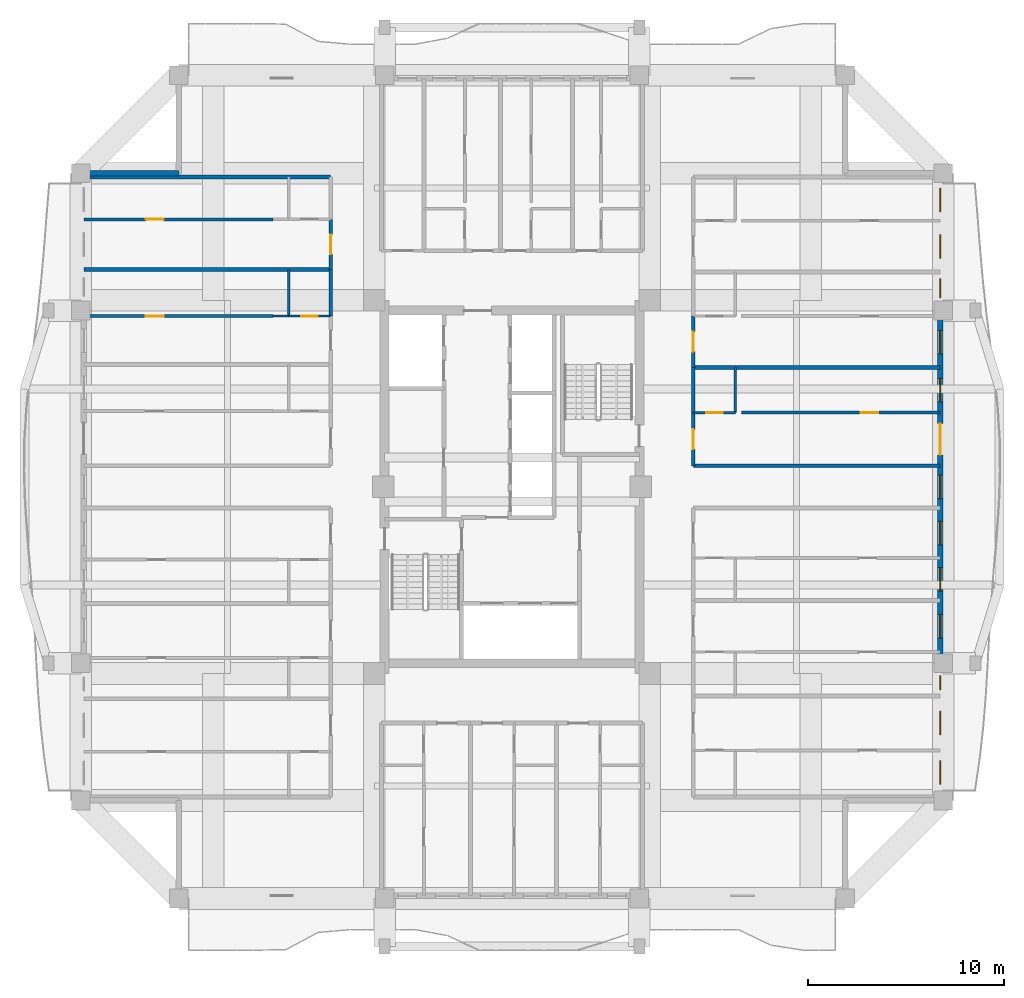
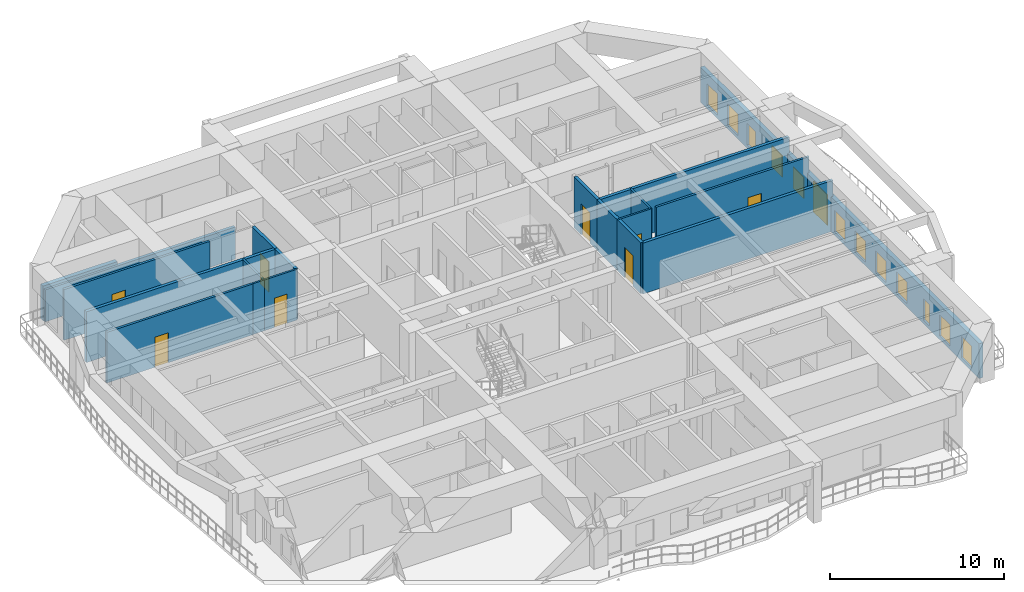
# One storey, part 6 of 15: 19 walls, 12 windows, 9 doors, 21 openings.
"""IFC4 building model written with IfcOpenShell, lengths in metres."""

from ifc_helpers import new_model, si_unit, direction, frame, frame_2d, origin, place, context, subcontext, project, spatial, rectangle, extrude, source, transform, mapped, material, layer, layer_set, type_object, element, fill, save


model = new_model("IFC4")

# Units and contexts
model_context = context("Model", 3, precision=1e-05, world=origin(), true_north=direction((0.0, 1.0)))
body_context = subcontext(model_context, "Body", "Model", "MODEL_VIEW")
ifc_project = project(units=[si_unit("LENGTHUNIT", "METRE"), si_unit("AREAUNIT", "SQUARE_METRE"), si_unit("VOLUMEUNIT", "CUBIC_METRE"), si_unit("PLANEANGLEUNIT", "RADIAN"), si_unit("MASSUNIT", "GRAM", prefix="KILO")], contexts=[model_context])

# Site, building, storey
site_placement = place(None, origin())
site = spatial("IfcSite", under=ifc_project, at=site_placement, CompositionType="ELEMENT")
building_placement = place(site_placement, origin())
building = spatial("IfcBuilding", under=site, at=building_placement, Name="Saelheon Loggia Tower", CompositionType="ELEMENT")
storey_placement = place(building_placement, frame((0.0, 0.0, 169.0)))
storey = spatial("IfcBuildingStorey", under=building, at=storey_placement, Name="L53", CompositionType="ELEMENT", Elevation=169.0)

# Wall, openings, windows, door
ifc_material_1 = material(Name="Architectural Precast Concrete C40/50", Category="concrete")
ifc_layer_1 = layer(ifc_material_1, 0.280029296875)
ifc_layer_set_1 = layer_set([ifc_layer_1], Name="Architectural Precast Concrete C40/50")
wall_type_1 = type_object("IfcWallType", Name="Wall_Ext_Loggia_280", PredefinedType="SOLIDWALL", material=ifc_layer_set_1)
wall_1_placement = place(storey_placement, frame((59.860107421875, 11.0, 0.0), z_axis=(0.0, 0.0, 1.0), x_axis=(0.0, 1.0, 0.0)))
wall_1 = element("IfcWall", 1, at=wall_1_placement, inside=storey, type_object=wall_type_1, Name="L53 East Loggia Inner Wall", PredefinedType="SOLIDWALL", context=body_context, shape_type="SweptSolid", body=[
    extrude(rectangle(XDim=32.0, YDim=0.280029296875, at=frame_2d((16.0, 0.0))), origin(), (0.0, 0.0, 1.0), 2.43994140625),
])
opening_1_placement = place(wall_1_placement, frame((0.833984375, 0.0, 0.25)))
opening_1 = element("IfcOpeningElement", 2, at=opening_1_placement, cuts=wall_1, Name="Opening WN-03", PredefinedType="OPENING", context=body_context, shape_type="SweptSolid", body=[
    extrude(rectangle(XDim=1.199951171875, YDim=1.5, at=frame_2d((0.60009765625, 0.75))), frame((0.0, 0.152099609375, 0.0), z_axis=(0.0, -1.0, 0.0), x_axis=(1.0, 0.0, 0.0)), (0.0, 0.0, 1.0), 0.303955078125),
])
opening_2_placement = place(wall_1_placement, frame((3.345947265625, 0.0, 0.25)))
opening_2 = element("IfcOpeningElement", 3, at=opening_2_placement, cuts=wall_1, Name="Opening WN-03", PredefinedType="OPENING", context=body_context, shape_type="SweptSolid", body=[
    extrude(rectangle(XDim=1.199951171875, YDim=1.5, at=frame_2d((0.60009765625, 0.75))), frame((0.0, 0.152099609375, 0.0), z_axis=(0.0, -1.0, 0.0), x_axis=(1.0, 0.0, 0.0)), (0.0, 0.0, 1.0), 0.303955078125),
])
opening_3_placement = place(wall_1_placement, frame((5.662109375, 0.0, 0.25)))
opening_3 = element("IfcOpeningElement", 4, at=opening_3_placement, cuts=wall_1, Name="Opening WN-06", PredefinedType="OPENING", context=body_context, shape_type="SweptSolid", body=[
    extrude(rectangle(XDim=0.699951171875, YDim=1.5, at=frame_2d((0.35009765625, 0.75))), frame((0.0, 0.152099609375, 0.0), z_axis=(0.0, -1.0, 0.0), x_axis=(1.0, 0.0, 0.0)), (0.0, 0.0, 1.0), 0.303955078125),
])
opening_4_placement = place(wall_1_placement, frame((8.289794921875, 0.0, 0.25)))
opening_4 = element("IfcOpeningElement", 5, at=opening_4_placement, cuts=wall_1, Name="Opening WN-03", PredefinedType="OPENING", context=body_context, shape_type="SweptSolid", body=[
    extrude(rectangle(XDim=1.199951171875, YDim=1.5, at=frame_2d((0.60009765625, 0.75))), frame((0.0, 0.152099609375, 0.0), z_axis=(0.0, -1.0, 0.0), x_axis=(1.0, 0.0, 0.0)), (0.0, 0.0, 1.0), 0.303955078125),
])
opening_5_placement = place(wall_1_placement, frame((10.68798828125, 0.0, 0.25)))
opening_5 = element("IfcOpeningElement", 6, at=opening_5_placement, cuts=wall_1, Name="Opening WN-03", PredefinedType="OPENING", context=body_context, shape_type="SweptSolid", body=[
    extrude(rectangle(XDim=1.199951171875, YDim=1.5, at=frame_2d((0.60009765625, 0.75))), frame((0.0, 0.152099609375, 0.0), z_axis=(0.0, -1.0, 0.0), x_axis=(1.0, 0.0, 0.0)), (0.0, 0.0, 1.0), 0.303955078125),
])
opening_6_placement = place(wall_1_placement, frame((13.04638671875, 0.0, 0.25)))
opening_6 = element("IfcOpeningElement", 7, at=opening_6_placement, cuts=wall_1, Name="Opening WN-03", PredefinedType="OPENING", context=body_context, shape_type="SweptSolid", body=[
    extrude(rectangle(XDim=1.199951171875, YDim=1.5, at=frame_2d((0.60009765625, 0.75))), frame((0.0, 0.152099609375, 0.0), z_axis=(0.0, -1.0, 0.0), x_axis=(1.0, 0.0, 0.0)), (0.0, 0.0, 1.0), 0.303955078125),
])
opening_7_placement = place(wall_1_placement, frame((15.39990234375, 0.0, 0.25)))
opening_7 = element("IfcOpeningElement", 8, at=opening_7_placement, cuts=wall_1, Name="Opening WN-03", PredefinedType="OPENING", context=body_context, shape_type="SweptSolid", body=[
    extrude(rectangle(XDim=1.199951171875, YDim=1.5, at=frame_2d((0.60009765625, 0.75))), frame((0.0, 0.152099609375, 0.0), z_axis=(0.0, -1.0, 0.0), x_axis=(1.0, 0.0, 0.0)), (0.0, 0.0, 1.0), 0.303955078125),
])
opening_8_placement = place(wall_1_placement, frame((19.233154296875, 0.0, 0.0), z_axis=(0.0, 0.0, 1.0), x_axis=(-1.0, 0.0, 0.0)))
opening_8 = element("IfcOpeningElement", 9, at=opening_8_placement, cuts=wall_1, Name="Opening DLG-1", PredefinedType="OPENING", context=body_context, shape_type="SweptSolid", body=[
    extrude(rectangle(XDim=1.60009765625, YDim=2.14990234375, at=frame_2d((0.800048828125, 1.074951171875))), frame((0.0, 0.152099609375, 0.0), z_axis=(0.0, -1.0, 0.0), x_axis=(1.0, 0.0, 0.0)), (0.0, 0.0, 1.0), 0.303955078125),
])
opening_9_placement = place(wall_1_placement, frame((20.3388671875, 0.0, 0.25)))
opening_9 = element("IfcOpeningElement", 10, at=opening_9_placement, cuts=wall_1, Name="Opening WN-03", PredefinedType="OPENING", context=body_context, shape_type="SweptSolid", body=[
    extrude(rectangle(XDim=1.199951171875, YDim=1.5, at=frame_2d((0.60009765625, 0.75))), frame((0.0, 0.152099609375, 0.0), z_axis=(0.0, -1.0, 0.0), x_axis=(1.0, 0.0, 0.0)), (0.0, 0.0, 1.0), 0.303955078125),
])
opening_10_placement = place(wall_1_placement, frame((22.788330078125, 0.0, 0.25)))
opening_10 = element("IfcOpeningElement", 11, at=opening_10_placement, cuts=wall_1, Name="Opening WN-03", PredefinedType="OPENING", context=body_context, shape_type="SweptSolid", body=[
    extrude(rectangle(XDim=1.199951171875, YDim=1.5, at=frame_2d((0.60009765625, 0.75))), frame((0.0, 0.152099609375, 0.0), z_axis=(0.0, -1.0, 0.0), x_axis=(1.0, 0.0, 0.0)), (0.0, 0.0, 1.0), 0.303955078125),
])
opening_11_placement = place(wall_1_placement, frame((25.660400390625, 0.0, 0.25)))
opening_11 = element("IfcOpeningElement", 12, at=opening_11_placement, cuts=wall_1, Name="Opening WN-04", PredefinedType="OPENING", context=body_context, shape_type="SweptSolid", body=[
    extrude(rectangle(XDim=0.949951171875, YDim=1.5, at=frame_2d((0.47509765625, 0.75))), frame((0.0, 0.152099609375, 0.0), z_axis=(0.0, -1.0, 0.0), x_axis=(1.0, 0.0, 0.0)), (0.0, 0.0, 1.0), 0.303955078125),
])
opening_12_placement = place(wall_1_placement, frame((27.669189453125, 0.0, 0.25)))
opening_12 = element("IfcOpeningElement", 13, at=opening_12_placement, cuts=wall_1, Name="Opening WN-03", PredefinedType="OPENING", context=body_context, shape_type="SweptSolid", body=[
    extrude(rectangle(XDim=1.199951171875, YDim=1.5, at=frame_2d((0.60009765625, 0.75))), frame((0.0, 0.152099609375, 0.0), z_axis=(0.0, -1.0, 0.0), x_axis=(1.0, 0.0, 0.0)), (0.0, 0.0, 1.0), 0.303955078125),
])
opening_13_placement = place(wall_1_placement, frame((30.03369140625, 0.0, 0.25)))
opening_13 = element("IfcOpeningElement", 14, at=opening_13_placement, cuts=wall_1, Name="Opening WN-03", PredefinedType="OPENING", context=body_context, shape_type="SweptSolid", body=[
    extrude(rectangle(XDim=1.199951171875, YDim=1.5, at=frame_2d((0.60009765625, 0.75))), frame((0.0, 0.152099609375, 0.0), z_axis=(0.0, -1.0, 0.0), x_axis=(1.0, 0.0, 0.0)), (0.0, 0.0, 1.0), 0.303955078125),
])
ifc_material_2 = material(Name="Thermal-Break Aluminium and Triple Low-E Glass", Category="aluminium")
window_type_1 = type_object("IfcWindowType", Name="Win_Slot_700x1500", PartitioningType="SINGLE_PANEL", PredefinedType="WINDOW", material=ifc_material_2)
shared_shape_1 = source(origin(), body_context, "Body", "SweptSolid", [
    extrude(rectangle(XDim=0.699951171875, YDim=1.5, at=frame_2d((0.35009765625, 0.75))), frame((0.0, 0.030029296875, 0.0), z_axis=(0.0, -1.0, 0.0), x_axis=(1.0, 0.0, 0.0)), (0.0, 0.0, 1.0), 0.06005859375),
])
window_1_placement = place(opening_3_placement, origin())
window_1 = element("IfcWindow", 15, at=window_1_placement, inside=storey, type_object=window_type_1, Name="L53 E Dwelling Window 3", OverallHeight=1.5, OverallWidth=0.699951171875, PartitioningType="SINGLE_PANEL", PredefinedType="WINDOW", context=body_context, shape_type="MappedRepresentation", body=[
    mapped(shared_shape_1, transform((0.0, 0.0, 0.0), scale=1.0)),
])
fill(opening_3, window_1)
window_type_2 = type_object("IfcWindowType", Name="Win_Bedroom_1200x1500", PartitioningType="SINGLE_PANEL", PredefinedType="WINDOW", material=ifc_material_2)
shared_shape_2 = source(origin(), body_context, "Body", "SweptSolid", [
    extrude(rectangle(XDim=1.199951171875, YDim=1.5, at=frame_2d((0.60009765625, 0.75))), frame((0.0, 0.030029296875, 0.0), z_axis=(0.0, -1.0, 0.0), x_axis=(1.0, 0.0, 0.0)), (0.0, 0.0, 1.0), 0.06005859375),
])
window_2_placement = place(opening_1_placement, origin())
window_2 = element("IfcWindow", 16, at=window_2_placement, inside=storey, type_object=window_type_2, Name="L53 E Dwelling Window 1", OverallHeight=1.5, OverallWidth=1.199951171875, PartitioningType="SINGLE_PANEL", PredefinedType="WINDOW", context=body_context, shape_type="MappedRepresentation", body=[
    mapped(shared_shape_2, transform((0.0, 0.0, 0.0), scale=1.0)),
])
fill(opening_1, window_2)
window_3_placement = place(opening_2_placement, origin())
window_3 = element("IfcWindow", 17, at=window_3_placement, inside=storey, type_object=window_type_2, Name="L53 E Dwelling Window 2", OverallHeight=1.5, OverallWidth=1.199951171875, PartitioningType="SINGLE_PANEL", PredefinedType="WINDOW", context=body_context, shape_type="MappedRepresentation", body=[
    mapped(shared_shape_2, transform((0.0, 0.0, 0.0), scale=1.0)),
])
fill(opening_2, window_3)
window_4_placement = place(opening_4_placement, origin())
window_4 = element("IfcWindow", 18, at=window_4_placement, inside=storey, type_object=window_type_2, Name="L53 E Dwelling Window 4", OverallHeight=1.5, OverallWidth=1.199951171875, PartitioningType="SINGLE_PANEL", PredefinedType="WINDOW", context=body_context, shape_type="MappedRepresentation", body=[
    mapped(shared_shape_2, transform((0.0, 0.0, 0.0), scale=1.0)),
])
fill(opening_4, window_4)
window_5_placement = place(opening_5_placement, origin())
window_5 = element("IfcWindow", 19, at=window_5_placement, inside=storey, type_object=window_type_2, Name="L53 E Dwelling Window 5", OverallHeight=1.5, OverallWidth=1.199951171875, PartitioningType="SINGLE_PANEL", PredefinedType="WINDOW", context=body_context, shape_type="MappedRepresentation", body=[
    mapped(shared_shape_2, transform((0.0, 0.0, 0.0), scale=1.0)),
])
fill(opening_5, window_5)
window_6_placement = place(opening_6_placement, origin())
window_6 = element("IfcWindow", 20, at=window_6_placement, inside=storey, type_object=window_type_2, Name="L53 E Dwelling Window 6", OverallHeight=1.5, OverallWidth=1.199951171875, PartitioningType="SINGLE_PANEL", PredefinedType="WINDOW", context=body_context, shape_type="MappedRepresentation", body=[
    mapped(shared_shape_2, transform((0.0, 0.0, 0.0), scale=1.0)),
])
fill(opening_6, window_6)
window_7_placement = place(opening_7_placement, origin())
window_7 = element("IfcWindow", 21, at=window_7_placement, inside=storey, type_object=window_type_2, Name="L53 E Dwelling Window 7", OverallHeight=1.5, OverallWidth=1.199951171875, PartitioningType="SINGLE_PANEL", PredefinedType="WINDOW", context=body_context, shape_type="MappedRepresentation", body=[
    mapped(shared_shape_2, transform((0.0, 0.0, 0.0), scale=1.0)),
])
fill(opening_7, window_7)
window_8_placement = place(opening_9_placement, origin())
window_8 = element("IfcWindow", 22, at=window_8_placement, inside=storey, type_object=window_type_2, Name="L53 E Dwelling Window 9", OverallHeight=1.5, OverallWidth=1.199951171875, PartitioningType="SINGLE_PANEL", PredefinedType="WINDOW", context=body_context, shape_type="MappedRepresentation", body=[
    mapped(shared_shape_2, transform((0.0, 0.0, 0.0), scale=1.0)),
])
fill(opening_9, window_8)
window_9_placement = place(opening_10_placement, origin())
window_9 = element("IfcWindow", 23, at=window_9_placement, inside=storey, type_object=window_type_2, Name="L53 E Dwelling Window 10", OverallHeight=1.5, OverallWidth=1.199951171875, PartitioningType="SINGLE_PANEL", PredefinedType="WINDOW", context=body_context, shape_type="MappedRepresentation", body=[
    mapped(shared_shape_2, transform((0.0, 0.0, 0.0), scale=1.0)),
])
fill(opening_10, window_9)
window_10_placement = place(opening_12_placement, origin())
window_10 = element("IfcWindow", 24, at=window_10_placement, inside=storey, type_object=window_type_2, Name="L53 E Dwelling Window 12", OverallHeight=1.5, OverallWidth=1.199951171875, PartitioningType="SINGLE_PANEL", PredefinedType="WINDOW", context=body_context, shape_type="MappedRepresentation", body=[
    mapped(shared_shape_2, transform((0.0, 0.0, 0.0), scale=1.0)),
])
fill(opening_12, window_10)
window_11_placement = place(opening_13_placement, origin())
window_11 = element("IfcWindow", 25, at=window_11_placement, inside=storey, type_object=window_type_2, Name="L53 E Dwelling Window 13", OverallHeight=1.5, OverallWidth=1.199951171875, PartitioningType="SINGLE_PANEL", PredefinedType="WINDOW", context=body_context, shape_type="MappedRepresentation", body=[
    mapped(shared_shape_2, transform((0.0, 0.0, 0.0), scale=1.0)),
])
fill(opening_13, window_11)
window_type_3 = type_object("IfcWindowType", Name="Win_Narrow_950x1500", PartitioningType="SINGLE_PANEL", PredefinedType="WINDOW", material=ifc_material_2)
shared_shape_3 = source(origin(), body_context, "Body", "SweptSolid", [
    extrude(rectangle(XDim=0.949951171875, YDim=1.5, at=frame_2d((0.47509765625, 0.75))), frame((0.0, 0.030029296875, 0.0), z_axis=(0.0, -1.0, 0.0), x_axis=(1.0, 0.0, 0.0)), (0.0, 0.0, 1.0), 0.06005859375),
])
window_12_placement = place(opening_11_placement, origin())
window_12 = element("IfcWindow", 26, at=window_12_placement, inside=storey, type_object=window_type_3, Name="L53 E Dwelling Window 11", OverallHeight=1.5, OverallWidth=0.949951171875, PartitioningType="SINGLE_PANEL", PredefinedType="WINDOW", context=body_context, shape_type="MappedRepresentation", body=[
    mapped(shared_shape_3, transform((0.0, 0.0, 0.0), scale=1.0)),
])
fill(opening_11, window_12)
ifc_material_3 = material(Name="Thermal-Break Aluminium Sliding Glazed Door", Category="aluminium")
door_type_1 = type_object("IfcDoorType", Name="Door_LoggiaSlide_1600", OperationType="SLIDING_TO_LEFT", PredefinedType="DOOR", material=ifc_material_3)
shared_shape_4 = source(origin(), body_context, "Body", "SweptSolid", [
    extrude(rectangle(XDim=1.60009765625, YDim=2.14990234375, at=frame_2d((0.800048828125, 1.074951171875))), frame((0.0, 0.02490234375, 0.0), z_axis=(0.0, -1.0, 0.0), x_axis=(1.0, 0.0, 0.0)), (0.0, 0.0, 1.0), 0.050048828125),
])
door_1_placement = place(opening_8_placement, origin())
door_1 = element("IfcDoor", 27, at=door_1_placement, inside=storey, type_object=door_type_1, Name="L53 E Loggia Access Door", OperationType="SLIDING_TO_LEFT", OverallHeight=2.14990234375, OverallWidth=1.60009765625, PredefinedType="DOOR", context=body_context, shape_type="MappedRepresentation", body=[
    mapped(shared_shape_4, transform((0.0, 0.0, 0.0), scale=1.0)),
])
fill(opening_8, door_1)

# Wall
wall_2_placement = place(storey_placement, frame((16.080078125, 43.0, 0.0), z_axis=(0.0, 0.0, 1.0), x_axis=(1.0, 0.0, 0.0)))
element("IfcWall", 28, at=wall_2_placement, inside=storey, type_object=wall_type_1, Name="L53 Corner Notch Precast Wall NW2", PredefinedType="SOLIDWALL", context=body_context, shape_type="SweptSolid", body=[
    extrude(rectangle(XDim=4.919921875, YDim=0.280029296875, at=frame_2d((2.4599609375, 0.0))), origin(), (0.0, 0.0, 1.0), 2.43994140625),
])

# Wall, opening, door
ifc_material_4 = material(Name="Lightweight Autoclaved Aerated Concrete Block and Acoustic Gypsum", Category="concrete")
ifc_layer_2 = layer(ifc_material_4, 0.14990234375)
ifc_layer_set_2 = layer_set([ifc_layer_2], Name="Lightweight Autoclaved Aerated Concrete Block and Acoustic Gypsum")
wall_type_2 = type_object("IfcWallType", Name="Wall_Part_150", PredefinedType="PARTITIONING", material=ifc_layer_set_2)
wall_3_placement = place(storey_placement, frame((25.81005859375, 35.719970703125, 0.0), z_axis=(0.0, 0.0, 1.0), x_axis=(-1.0, 0.0, 0.0)))
wall_3 = element("IfcWall", 29, at=wall_3_placement, inside=storey, type_object=wall_type_2, Name="L53 WN Partition U15", PredefinedType="PARTITIONING", context=body_context, shape_type="SweptSolid", body=[
    extrude(rectangle(XDim=9.66015625, YDim=0.14990234375, at=frame_2d((4.830078125, 0.0))), origin(), (0.0, 0.0, 1.0), 3.56005859375),
])
opening_14_placement = place(wall_3_placement, frame((5.58740234375, 0.0, 0.0)))
opening_14 = element("IfcOpeningElement", 30, at=opening_14_placement, cuts=wall_3, Name="Opening D-IN2", PredefinedType="OPENING", context=body_context, shape_type="SweptSolid", body=[
    extrude(rectangle(XDim=0.89990234375, YDim=2.10009765625, at=frame_2d((0.449951171875, 1.050048828125))), frame((0.0, 0.0869140625, 0.0), z_axis=(0.0, -1.0, 0.0), x_axis=(1.0, 0.0, 0.0)), (0.0, 0.0, 1.0), 0.173828125),
])
ifc_material_5 = material(Name="Engineered Oak Flush Door", Category="timber")
door_type_2 = type_object("IfcDoorType", Name="Door_Int_900", OperationType="NOTDEFINED", PredefinedType="DOOR", material=ifc_material_5)
shared_shape_5 = source(origin(), body_context, "Body", "SweptSolid", [
    extrude(rectangle(XDim=0.89990234375, YDim=2.10009765625, at=frame_2d((0.449951171875, 1.050048828125))), frame((0.0, 0.02490234375, 0.0), z_axis=(0.0, -1.0, 0.0), x_axis=(1.0, 0.0, 0.0)), (0.0, 0.0, 1.0), 0.050048828125),
])
door_2_placement = place(opening_14_placement, origin())
door_2 = element("IfcDoor", 31, at=door_2_placement, inside=storey, type_object=door_type_2, Name="Unit U11 Kitchen Door", OperationType="SINGLE_SWING_LEFT", OverallHeight=2.10009765625, OverallWidth=0.89990234375, PredefinedType="DOOR", context=body_context, shape_type="MappedRepresentation", body=[
    mapped(shared_shape_5, transform((0.0, 0.0, 0.0), scale=1.0)),
])
fill(opening_14, door_2)

wall_4_placement = place(storey_placement, frame((25.81005859375, 40.650390625, 0.0), z_axis=(0.0, 0.0, 1.0), x_axis=(-1.0, 0.0, 0.0)))
wall_4 = element("IfcWall", 32, at=wall_4_placement, inside=storey, type_object=wall_type_2, Name="L53 WN Partition U22", PredefinedType="PARTITIONING", context=body_context, shape_type="SweptSolid", body=[
    extrude(rectangle(XDim=9.66015625, YDim=0.14990234375, at=frame_2d((4.830078125, 0.0))), origin(), (0.0, 0.0, 1.0), 3.56005859375),
])
opening_15_placement = place(wall_4_placement, frame((5.58740234375, 0.0, 0.0)))
opening_15 = element("IfcOpeningElement", 33, at=opening_15_placement, cuts=wall_4, Name="Opening D-IN2", PredefinedType="OPENING", context=body_context, shape_type="SweptSolid", body=[
    extrude(rectangle(XDim=0.89990234375, YDim=2.10009765625, at=frame_2d((0.449951171875, 1.050048828125))), frame((0.0, 0.0869140625, 0.0), z_axis=(0.0, -1.0, 0.0), x_axis=(1.0, 0.0, 0.0)), (0.0, 0.0, 1.0), 0.173828125),
])
door_3_placement = place(opening_15_placement, origin())
door_3 = element("IfcDoor", 34, at=door_3_placement, inside=storey, type_object=door_type_2, Name="Unit U12 Kitchen Door", OperationType="SINGLE_SWING_RIGHT", OverallHeight=2.10009765625, OverallWidth=0.89990234375, PredefinedType="DOOR", context=body_context, shape_type="MappedRepresentation", body=[
    mapped(shared_shape_5, transform((0.0, 0.0, 0.0), scale=1.0)),
])
fill(opening_15, door_3)

wall_5_placement = place(storey_placement, frame((49.7099609375, 30.786376953125, 0.0), z_axis=(0.0, 0.0, 1.0), x_axis=(1.0, 0.0, 0.0)))
wall_5 = element("IfcWall", 35, at=wall_5_placement, inside=storey, type_object=wall_type_2, Name="L53 EN Partition U07", PredefinedType="PARTITIONING", context=body_context, shape_type="SweptSolid", body=[
    extrude(rectangle(XDim=10.14013671875, YDim=0.14990234375, at=frame_2d((5.070068359375, 0.0))), origin(), (0.0, 0.0, 1.0), 3.56005859375),
])
opening_16_placement = place(wall_5_placement, frame((6.080078125, 0.0, 0.0)))
opening_16 = element("IfcOpeningElement", 36, at=opening_16_placement, cuts=wall_5, Name="Opening D-IN2", PredefinedType="OPENING", context=body_context, shape_type="SweptSolid", body=[
    extrude(rectangle(XDim=0.89990234375, YDim=2.10009765625, at=frame_2d((0.449951171875, 1.050048828125))), frame((0.0, 0.0869140625, 0.0), z_axis=(0.0, -1.0, 0.0), x_axis=(1.0, 0.0, 0.0)), (0.0, 0.0, 1.0), 0.173828125),
])
door_4_placement = place(opening_16_placement, origin())
door_4 = element("IfcDoor", 37, at=door_4_placement, inside=storey, type_object=door_type_2, Name="Unit U16 Kitchen Door", OperationType="SINGLE_SWING_RIGHT", OverallHeight=2.10009765625, OverallWidth=0.89990234375, PredefinedType="DOOR", context=body_context, shape_type="MappedRepresentation", body=[
    mapped(shared_shape_5, transform((0.0, 0.0, 0.0), scale=1.0)),
])
fill(opening_16, door_4)

# Walls
ifc_material_6 = material(Name="Double Acoustic Stud and Fireboard Partition", Category="gypsum")
ifc_layer_3 = layer(ifc_material_6, 0.199951171875)
ifc_layer_set_3 = layer_set([ifc_layer_3], Name="Double Acoustic Stud and Fireboard Partition")
wall_type_3 = type_object("IfcWallType", Name="Wall_Party_200", PredefinedType="PARTITIONING", material=ifc_layer_set_3)
wall_6_placement = place(storey_placement, frame((28.75, 42.820068359375, 0.0), z_axis=(0.0, 0.0, 1.0), x_axis=(-1.0, 0.0, 0.0)))
element("IfcWall", 38, at=wall_6_placement, inside=storey, type_object=wall_type_3, Name="L53 WN Partition U02", PredefinedType="PARTITIONING", context=body_context, shape_type="SweptSolid", body=[
    extrude(rectangle(XDim=12.60009765625, YDim=0.199951171875, at=frame_2d((6.300048828125, 0.0))), origin(), (0.0, 0.0, 1.0), 2.239990234375),
])
wall_7_placement = place(storey_placement, frame((28.75, 35.719970703125, 0.0), z_axis=(0.0, 0.0, 1.0), x_axis=(0.0, 1.0, 0.0)))
element("IfcWall", 39, at=wall_7_placement, inside=storey, type_object=wall_type_3, Name="L53 WN Partition V11", PredefinedType="PARTITIONING", context=body_context, shape_type="SweptSolid", body=[
    extrude(rectangle(XDim=2.38330078125, YDim=0.199951171875, at=frame_2d((1.191650390625, 0.0))), origin(), (0.0, 0.0, 1.0), 3.56005859375),
])
wall_8_placement = place(storey_placement, frame((28.75, 38.103271484375, 0.0), z_axis=(0.0, 0.0, 1.0), x_axis=(-1.0, 0.0, 0.0)))
element("IfcWall", 40, at=wall_8_placement, inside=storey, type_object=wall_type_3, Name="L53 WN Partition U16", PredefinedType="PARTITIONING", context=body_context, shape_type="SweptSolid", body=[
    extrude(rectangle(XDim=12.60009765625, YDim=0.199951171875, at=frame_2d((6.300048828125, 0.0))), origin(), (0.0, 0.0, 1.0), 3.56005859375),
])

# Wall, opening, door
wall_9_placement = place(storey_placement, frame((28.75, 38.103271484375, 0.0), z_axis=(0.0, 0.0, 1.0), x_axis=(0.0, 1.0, 0.0)))
wall_9 = element("IfcWall", 41, at=wall_9_placement, inside=storey, type_object=wall_type_3, Name="L53 WN Partition V17", PredefinedType="PARTITIONING", context=body_context, shape_type="SweptSolid", body=[
    extrude(rectangle(XDim=2.547119140625, YDim=0.199951171875, at=frame_2d((1.2734375, 0.0))), origin(), (0.0, 0.0, 1.0), 3.56005859375),
])
opening_17_placement = place(wall_9_placement, frame((0.773681640625, 0.0, 0.0)))
opening_17 = element("IfcOpeningElement", 42, at=opening_17_placement, cuts=wall_9, Name="Opening D-FD1", PredefinedType="OPENING", context=body_context, shape_type="SweptSolid", body=[
    extrude(rectangle(XDim=1.0, YDim=2.14990234375, at=frame_2d((0.5, 1.074951171875))), frame((0.0, 0.112060546875, 0.0), z_axis=(0.0, -1.0, 0.0), x_axis=(1.0, 0.0, 0.0)), (0.0, 0.0, 1.0), 0.223876953125),
])
ifc_material_7 = material(Name="Fire-Rated Engineered Timber Entrance Door", Category="wood")
door_type_3 = type_object("IfcDoorType", Name="Door_Flat_FD30S", OperationType="NOTDEFINED", PredefinedType="DOOR", material=ifc_material_7)
shared_shape_6 = source(origin(), body_context, "Body", "SweptSolid", [
    extrude(rectangle(XDim=1.0, YDim=2.14990234375, at=frame_2d((0.5, 1.074951171875))), frame((0.0, 0.02490234375, 0.0), z_axis=(0.0, -1.0, 0.0), x_axis=(1.0, 0.0, 0.0)), (0.0, 0.0, 1.0), 0.050048828125),
])
door_5_placement = place(opening_17_placement, origin())
door_5 = element("IfcDoor", 43, at=door_5_placement, inside=storey, type_object=door_type_3, Name="Unit U12 Entrance Door", OperationType="SINGLE_SWING_RIGHT", OverallHeight=2.14990234375, OverallWidth=1.0, PredefinedType="DOOR", context=body_context, shape_type="MappedRepresentation", body=[
    mapped(shared_shape_6, transform((0.0, 0.0, 0.0), scale=1.0)),
])
fill(opening_17, door_5)

# Wall
wall_10_placement = place(storey_placement, frame((47.25, 28.080078125, 0.0), z_axis=(0.0, 0.0, 1.0), x_axis=(1.0, 0.0, 0.0)))
element("IfcWall", 44, at=wall_10_placement, inside=storey, type_object=wall_type_3, Name="L53 EN Partition U01", PredefinedType="PARTITIONING", context=body_context, shape_type="SweptSolid", body=[
    extrude(rectangle(XDim=12.60009765625, YDim=0.199951171875, at=frame_2d((6.300048828125, 0.0))), origin(), (0.0, 0.0, 1.0), 3.56005859375),
])

# Wall, opening, door
wall_11_placement = place(storey_placement, frame((47.25, 28.080078125, 0.0), z_axis=(0.0, 0.0, 1.0), x_axis=(0.0, 1.0, 0.0)))
wall_11 = element("IfcWall", 45, at=wall_11_placement, inside=storey, type_object=wall_type_3, Name="L53 EN Partition V03", PredefinedType="PARTITIONING", context=body_context, shape_type="SweptSolid", body=[
    extrude(rectangle(XDim=2.706298828125, YDim=0.199951171875, at=frame_2d((1.35302734375, 0.0))), origin(), (0.0, 0.0, 1.0), 3.56005859375),
])
opening_18_placement = place(wall_11_placement, frame((0.853271484375, 0.0, 0.0)))
opening_18 = element("IfcOpeningElement", 46, at=opening_18_placement, cuts=wall_11, Name="Opening D-FD1", PredefinedType="OPENING", context=body_context, shape_type="SweptSolid", body=[
    extrude(rectangle(XDim=1.0, YDim=2.14990234375, at=frame_2d((0.5, 1.074951171875))), frame((0.0, 0.112060546875, 0.0), z_axis=(0.0, -1.0, 0.0), x_axis=(1.0, 0.0, 0.0)), (0.0, 0.0, 1.0), 0.223876953125),
])
door_6_placement = place(opening_18_placement, origin())
door_6 = element("IfcDoor", 47, at=door_6_placement, inside=storey, type_object=door_type_3, Name="Unit U16 Entrance Door", OperationType="SINGLE_SWING_RIGHT", OverallHeight=2.14990234375, OverallWidth=1.0, PredefinedType="DOOR", context=body_context, shape_type="MappedRepresentation", body=[
    mapped(shared_shape_6, transform((0.0, 0.0, 0.0), scale=1.0)),
])
fill(opening_18, door_6)

# Walls
wall_12_placement = place(storey_placement, frame((47.25, 30.786376953125, 0.0), z_axis=(0.0, 0.0, 1.0), x_axis=(0.0, 1.0, 0.0)))
element("IfcWall", 48, at=wall_12_placement, inside=storey, type_object=wall_type_3, Name="L53 EN Partition V04", PredefinedType="PARTITIONING", context=body_context, shape_type="SweptSolid", body=[
    extrude(rectangle(XDim=2.30517578125, YDim=0.199951171875, at=frame_2d((1.152587890625, 0.0))), origin(), (0.0, 0.0, 1.0), 3.56005859375),
])
wall_13_placement = place(storey_placement, frame((47.25, 33.091552734375, 0.0), z_axis=(0.0, 0.0, 1.0), x_axis=(1.0, 0.0, 0.0)))
element("IfcWall", 49, at=wall_13_placement, inside=storey, type_object=wall_type_3, Name="L53 EN Partition U08", PredefinedType="PARTITIONING", context=body_context, shape_type="SweptSolid", body=[
    extrude(rectangle(XDim=12.60009765625, YDim=0.199951171875, at=frame_2d((6.300048828125, 0.0))), origin(), (0.0, 0.0, 1.0), 3.56005859375),
])

# Wall, opening, door
wall_14_placement = place(storey_placement, frame((47.25, 33.091552734375, 0.0), z_axis=(0.0, 0.0, 1.0), x_axis=(0.0, 1.0, 0.0)))
wall_14 = element("IfcWall", 50, at=wall_14_placement, inside=storey, type_object=wall_type_3, Name="L53 EN Partition V09", PredefinedType="PARTITIONING", context=body_context, shape_type="SweptSolid", body=[
    extrude(rectangle(XDim=2.62841796875, YDim=0.199951171875, at=frame_2d((1.314208984375, 0.0))), origin(), (0.0, 0.0, 1.0), 3.56005859375),
])
opening_19_placement = place(wall_14_placement, frame((0.814208984375, 0.0, 0.0)))
opening_19 = element("IfcOpeningElement", 51, at=opening_19_placement, cuts=wall_14, Name="Opening D-FD1", PredefinedType="OPENING", context=body_context, shape_type="SweptSolid", body=[
    extrude(rectangle(XDim=1.0, YDim=2.14990234375, at=frame_2d((0.5, 1.074951171875))), frame((0.0, 0.112060546875, 0.0), z_axis=(0.0, -1.0, 0.0), x_axis=(1.0, 0.0, 0.0)), (0.0, 0.0, 1.0), 0.223876953125),
])
door_7_placement = place(opening_19_placement, origin())
door_7 = element("IfcDoor", 52, at=door_7_placement, inside=storey, type_object=door_type_3, Name="Unit U17 Entrance Door", OperationType="SINGLE_SWING_LEFT", OverallHeight=2.14990234375, OverallWidth=1.0, PredefinedType="DOOR", context=body_context, shape_type="MappedRepresentation", body=[
    mapped(shared_shape_6, transform((0.0, 0.0, 0.0), scale=1.0)),
])
fill(opening_19, door_7)

ifc_material_8 = material(Name="Moisture-Resistant Cement Board Partition", Category="gypsum")
ifc_layer_4 = layer(ifc_material_8, 0.1201171875)
ifc_layer_set_4 = layer_set([ifc_layer_4], Name="Moisture-Resistant Cement Board Partition")
wall_type_4 = type_object("IfcWallType", Name="Wall_WetPart_120", PredefinedType="PARTITIONING", material=ifc_layer_set_4)
wall_15_placement = place(storey_placement, frame((28.75, 35.719970703125, 0.0), z_axis=(0.0, 0.0, 1.0), x_axis=(-1.0, 0.0, 0.0)))
wall_15 = element("IfcWall", 53, at=wall_15_placement, inside=storey, type_object=wall_type_4, Name="L53 WN Partition U12", PredefinedType="PARTITIONING", context=body_context, shape_type="SweptSolid", body=[
    extrude(rectangle(XDim=2.14990234375, YDim=0.1201171875, at=frame_2d((1.074951171875, 0.0))), origin(), (0.0, 0.0, 1.0), 3.56005859375),
])
opening_20_placement = place(wall_15_placement, frame((0.64990234375, 0.0, 0.0)))
opening_20 = element("IfcOpeningElement", 54, at=opening_20_placement, cuts=wall_15, Name="Opening D-BT1", PredefinedType="OPENING", context=body_context, shape_type="SweptSolid", body=[
    extrude(rectangle(XDim=0.85009765625, YDim=2.050048828125, at=frame_2d((0.425048828125, 1.02490234375))), frame((0.0, 0.072021484375, 0.0), z_axis=(0.0, -1.0, 0.0), x_axis=(1.0, 0.0, 0.0)), (0.0, 0.0, 1.0), 0.14404296875),
])
ifc_material_9 = material(Name="Moisture-Resistant Laminate Timber Door", Category="wood")
door_type_4 = type_object("IfcDoorType", Name="Door_Bath_850", OperationType="NOTDEFINED", PredefinedType="DOOR", material=ifc_material_9)
shared_shape_7 = source(origin(), body_context, "Body", "SweptSolid", [
    extrude(rectangle(XDim=0.85009765625, YDim=2.050048828125, at=frame_2d((0.425048828125, 1.02490234375))), frame((0.0, 0.02490234375, 0.0), z_axis=(0.0, -1.0, 0.0), x_axis=(1.0, 0.0, 0.0)), (0.0, 0.0, 1.0), 0.050048828125),
])
door_8_placement = place(opening_20_placement, origin())
door_8 = element("IfcDoor", 55, at=door_8_placement, inside=storey, type_object=door_type_4, Name="Unit U11 Bathroom Door", OperationType="SINGLE_SWING_RIGHT", OverallHeight=2.050048828125, OverallWidth=0.85009765625, PredefinedType="DOOR", context=body_context, shape_type="MappedRepresentation", body=[
    mapped(shared_shape_7, transform((0.0, 0.0, 0.0), scale=1.0)),
])
fill(opening_20, door_8)

# Walls
wall_16_placement = place(storey_placement, frame((26.60009765625, 35.719970703125, 0.0), z_axis=(0.0, 0.0, 1.0), x_axis=(-1.0, 0.0, 0.0)))
element("IfcWall", 56, at=wall_16_placement, inside=storey, type_object=wall_type_4, Name="L53 WN Partition U13", PredefinedType="PARTITIONING", context=body_context, shape_type="SweptSolid", body=[
    extrude(rectangle(XDim=0.7900390625, YDim=0.1201171875, at=frame_2d((0.39501953125, 0.0))), origin(), (0.0, 0.0, 1.0), 3.56005859375),
])
wall_17_placement = place(storey_placement, frame((26.60009765625, 35.719970703125, 0.0), z_axis=(0.0, 0.0, 1.0), x_axis=(0.0, 1.0, 0.0)))
element("IfcWall", 57, at=wall_17_placement, inside=storey, type_object=wall_type_4, Name="L53 WN Partition V14", PredefinedType="PARTITIONING", context=body_context, shape_type="SweptSolid", body=[
    extrude(rectangle(XDim=2.38330078125, YDim=0.1201171875, at=frame_2d((1.191650390625, 0.0))), origin(), (0.0, 0.0, 1.0), 3.56005859375),
])

# Wall, opening, door
wall_18_placement = place(storey_placement, frame((47.25, 30.786376953125, 0.0), z_axis=(0.0, 0.0, 1.0), x_axis=(1.0, 0.0, 0.0)))
wall_18 = element("IfcWall", 58, at=wall_18_placement, inside=storey, type_object=wall_type_4, Name="L53 EN Partition U05", PredefinedType="PARTITIONING", context=body_context, shape_type="SweptSolid", body=[
    extrude(rectangle(XDim=2.14990234375, YDim=0.1201171875, at=frame_2d((1.074951171875, 0.0))), origin(), (0.0, 0.0, 1.0), 3.56005859375),
])
opening_21_placement = place(wall_18_placement, frame((0.64990234375, 0.0, 0.0)))
opening_21 = element("IfcOpeningElement", 59, at=opening_21_placement, cuts=wall_18, Name="Opening D-BT1", PredefinedType="OPENING", context=body_context, shape_type="SweptSolid", body=[
    extrude(rectangle(XDim=0.85009765625, YDim=2.050048828125, at=frame_2d((0.425048828125, 1.02490234375))), frame((0.0, 0.072021484375, 0.0), z_axis=(0.0, -1.0, 0.0), x_axis=(1.0, 0.0, 0.0)), (0.0, 0.0, 1.0), 0.14404296875),
])
door_9_placement = place(opening_21_placement, origin())
door_9 = element("IfcDoor", 60, at=door_9_placement, inside=storey, type_object=door_type_4, Name="Unit U16 Bathroom Door", OperationType="SINGLE_SWING_LEFT", OverallHeight=2.050048828125, OverallWidth=0.85009765625, PredefinedType="DOOR", context=body_context, shape_type="MappedRepresentation", body=[
    mapped(shared_shape_7, transform((0.0, 0.0, 0.0), scale=1.0)),
])
fill(opening_21, door_9)

# Wall
wall_19_placement = place(storey_placement, frame((49.39990234375, 30.786376953125, 0.0), z_axis=(0.0, 0.0, 1.0), x_axis=(0.0, 1.0, 0.0)))
element("IfcWall", 61, at=wall_19_placement, inside=storey, type_object=wall_type_4, Name="L53 EN Partition V06", PredefinedType="PARTITIONING", context=body_context, shape_type="SweptSolid", body=[
    extrude(rectangle(XDim=2.30517578125, YDim=0.1201171875, at=frame_2d((1.152587890625, 0.0))), origin(), (0.0, 0.0, 1.0), 3.56005859375),
])

save(model, "model.ifc")
